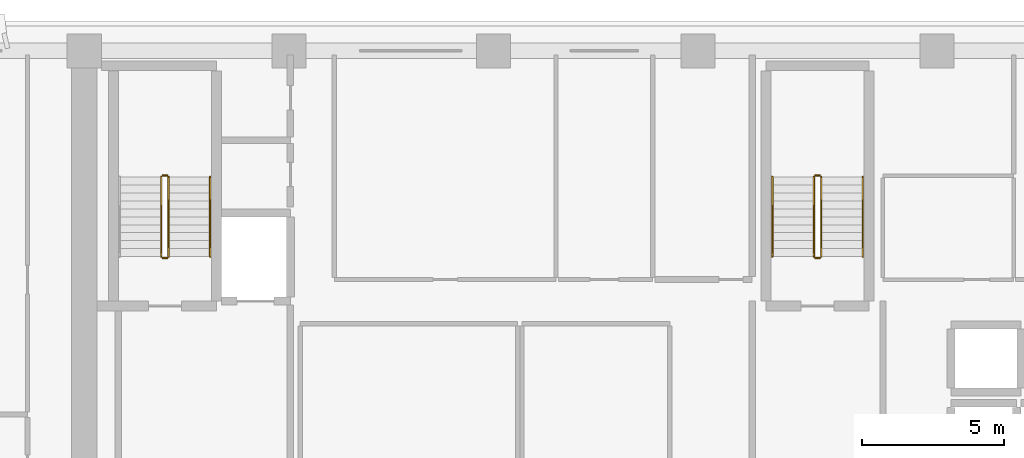
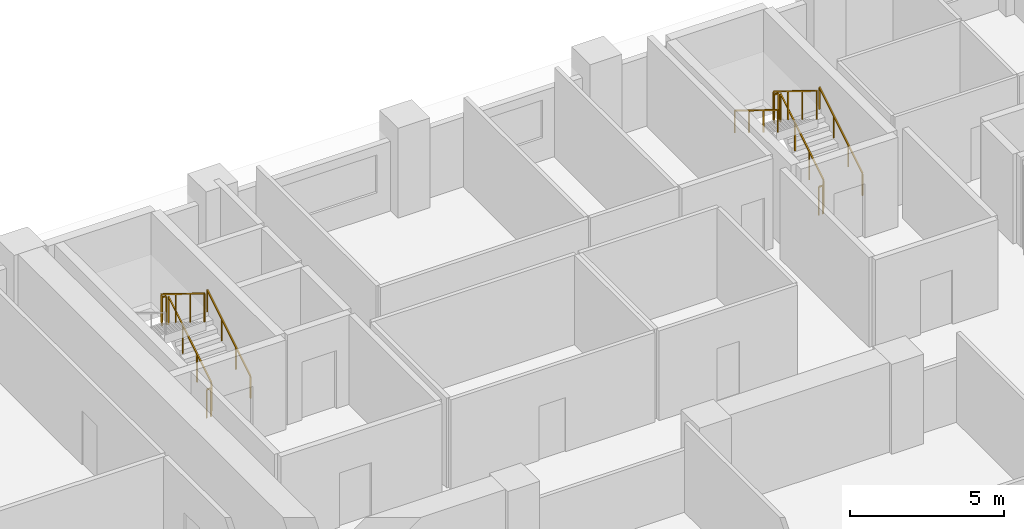
# One storey, part 12 of 14: 11 railings.
"""IFC4 building model written with IfcOpenShell, lengths in metres."""

from ifc_helpers import new_model, si_unit, direction, frame, origin, origin_2d, place, context, subcontext, project, spatial, rectangle, extrude, material, type_object, element, save


model = new_model("IFC4")

# Units and contexts
model_context = context("Model", 3, precision=1e-05, world=origin(), true_north=direction((0.0, 1.0)))
body_context = subcontext(model_context, "Body", "Model", "MODEL_VIEW")
ifc_project = project(units=[si_unit("LENGTHUNIT", "METRE"), si_unit("AREAUNIT", "SQUARE_METRE"), si_unit("VOLUMEUNIT", "CUBIC_METRE"), si_unit("PLANEANGLEUNIT", "RADIAN"), si_unit("MASSUNIT", "GRAM", prefix="KILO")], contexts=[model_context])

# Site, building, storey
site_placement = place(None, origin())
site = spatial("IfcSite", under=ifc_project, at=site_placement, CompositionType="ELEMENT")
building_placement = place(site_placement, origin())
building = spatial("IfcBuilding", under=site, at=building_placement, Name="Kaelvorn Grand Hotel", CompositionType="ELEMENT")
storey_placement = place(building_placement, frame((0.0, 0.0, 169.550048828125)))
storey = spatial("IfcBuildingStorey", under=building, at=storey_placement, Name="L41", CompositionType="ELEMENT", Elevation=169.550048828125)

# Railings
ifc_material = material(Name="Stainless Steel", Category="steel")
railing_type_1 = type_object("IfcRailingType", Name="RL-HANDRAIL-900", PredefinedType="HANDRAIL", material=ifc_material)
for number, where, name in (
    (1, (20.6298828125, 41.760009765625, 0.172607421875), "L41 ST1 stair handrail 1"),
    (2, (43.590087890625, 41.760009765625, 0.172607421875), "L41 ST2 stair handrail 1"),
):
    element("IfcRailing", number, at=place(storey_placement, frame(where)), inside=storey, type_object=railing_type_1, Name=name, PredefinedType="HANDRAIL", context=body_context, shape_type="SweptSolid", body=[
        extrude(rectangle(XDim=0.048095703125, YDim=0.048095703125, at=origin_2d()), frame((0.0, 0.0, 0.8759765625), z_axis=(0.0, 0.851089632645, 0.525020415988), x_axis=(-1.0, 0.0, 0.0)), (0.0, 0.0, 1.0), 3.2900390625),
        extrude(rectangle(XDim=0.0419921875, YDim=0.0419921875, at=origin_2d()), origin(), (0.0, 0.0, 1.0), 0.851806640625),
        extrude(rectangle(XDim=0.0419921875, YDim=0.0419921875, at=origin_2d()), frame((0.0, 0.933349609375, 0.57568359375)), (0.0, 0.0, 1.0), 0.851806640625),
        extrude(rectangle(XDim=0.0419921875, YDim=0.0419921875, at=origin_2d()), frame((0.0, 1.86669921875, 1.151611328125)), (0.0, 0.0, 1.0), 0.851806640625),
        extrude(rectangle(XDim=0.0419921875, YDim=0.0419921875, at=origin_2d()), frame((0.0, 2.800048828125, 1.727294921875)), (0.0, 0.0, 1.0), 0.851806640625),
    ])
railing_1_placement = place(storey_placement, frame((40.409912109375, 44.56005859375, 2.07275390625)))
element("IfcRailing", 3, at=railing_1_placement, inside=storey, type_object=railing_type_1, Name="L41 ST2 stair handrail 2", PredefinedType="HANDRAIL", context=body_context, shape_type="SweptSolid", body=[
    extrude(rectangle(XDim=0.048095703125, YDim=0.048095703125, at=origin_2d()), frame((0.0, 0.0, 0.8759765625), z_axis=(0.0, -0.851089632645, 0.525020415988), x_axis=(1.0, 0.0, 0.0)), (0.0, 0.0, 1.0), 3.2900390625),
    extrude(rectangle(XDim=0.0419921875, YDim=0.0419921875, at=origin_2d()), origin(), (0.0, 0.0, 1.0), 0.851806640625),
    extrude(rectangle(XDim=0.0419921875, YDim=0.0419921875, at=origin_2d()), frame((0.0, -0.933349609375, 0.57568359375)), (0.0, 0.0, 1.0), 0.851806640625),
    extrude(rectangle(XDim=0.0419921875, YDim=0.0419921875, at=origin_2d()), frame((0.0, -1.86669921875, 1.151611328125)), (0.0, 0.0, 1.0), 0.851806640625),
    extrude(rectangle(XDim=0.0419921875, YDim=0.0419921875, at=origin_2d()), frame((0.0, -2.800048828125, 1.727294921875)), (0.0, 0.0, 1.0), 0.851806640625),
])
railing_type_2 = type_object("IfcRailingType", Name="RL-STAIR-GUARD-1150", PredefinedType="BALUSTRADE", material=ifc_material)
railing_2_placement = place(storey_placement, frame((19.169921875, 41.760009765625, 0.172607421875)))
element("IfcRailing", 4, at=railing_2_placement, inside=storey, type_object=railing_type_2, Name="L41 ST1 stair guard 1", PredefinedType="BALUSTRADE", context=body_context, shape_type="SweptSolid", body=[
    extrude(rectangle(XDim=0.048095703125, YDim=0.048095703125, at=origin_2d()), frame((0.0, 0.0, 1.1259765625), z_axis=(0.0, 0.851089632645, 0.525020415988), x_axis=(-1.0, 0.0, 0.0)), (0.0, 0.0, 1.0), 3.2900390625),
    extrude(rectangle(XDim=0.0419921875, YDim=0.0419921875, at=origin_2d()), origin(), (0.0, 0.0, 1.0), 1.101806640625),
    extrude(rectangle(XDim=0.0419921875, YDim=0.0419921875, at=origin_2d()), frame((0.0, 0.933349609375, 0.57568359375)), (0.0, 0.0, 1.0), 1.101806640625),
    extrude(rectangle(XDim=0.0419921875, YDim=0.0419921875, at=origin_2d()), frame((0.0, 1.86669921875, 1.151611328125)), (0.0, 0.0, 1.0), 1.101806640625),
    extrude(rectangle(XDim=0.0419921875, YDim=0.0419921875, at=origin_2d()), frame((0.0, 2.800048828125, 1.727294921875)), (0.0, 0.0, 1.0), 1.101806640625),
])
railing_3_placement = place(storey_placement, frame((19.1201171875, 44.610107421875, 1.89990234375)))
element("IfcRailing", 5, at=railing_3_placement, inside=storey, type_object=railing_type_2, Name="L41 ST1 stair guard 2", PredefinedType="BALUSTRADE", context=body_context, shape_type="SweptSolid", body=[
    extrude(rectangle(XDim=0.048095703125, YDim=0.048095703125, at=origin_2d()), frame((0.0, 0.0, 1.1259765625), z_axis=(-1.0, 0.0, 0.0), x_axis=(0.0, -1.0, 0.0)), (0.0, 0.0, 1.0), 0.16015625),
    extrude(rectangle(XDim=0.0419921875, YDim=0.0419921875, at=origin_2d()), origin(), (0.0, 0.0, 1.0), 1.101806640625),
    extrude(rectangle(XDim=0.0419921875, YDim=0.0419921875, at=origin_2d()), frame((-0.16015625, 0.0, 0.0)), (0.0, 0.0, 1.0), 1.101806640625),
])
railing_4_placement = place(storey_placement, frame((18.909912109375, 44.56005859375, 2.07275390625)))
element("IfcRailing", 6, at=railing_4_placement, inside=storey, type_object=railing_type_2, Name="L41 ST1 stair guard 3", PredefinedType="BALUSTRADE", context=body_context, shape_type="SweptSolid", body=[
    extrude(rectangle(XDim=0.048095703125, YDim=0.048095703125, at=origin_2d()), frame((0.0, 0.0, 1.1259765625), z_axis=(0.0, -0.851089632645, 0.525020415988), x_axis=(1.0, 0.0, 0.0)), (0.0, 0.0, 1.0), 3.2900390625),
    extrude(rectangle(XDim=0.0419921875, YDim=0.0419921875, at=origin_2d()), origin(), (0.0, 0.0, 1.0), 1.101806640625),
    extrude(rectangle(XDim=0.0419921875, YDim=0.0419921875, at=origin_2d()), frame((0.0, -0.933349609375, 0.57568359375)), (0.0, 0.0, 1.0), 1.101806640625),
    extrude(rectangle(XDim=0.0419921875, YDim=0.0419921875, at=origin_2d()), frame((0.0, -1.86669921875, 1.151611328125)), (0.0, 0.0, 1.0), 1.101806640625),
    extrude(rectangle(XDim=0.0419921875, YDim=0.0419921875, at=origin_2d()), frame((0.0, -2.800048828125, 1.727294921875)), (0.0, 0.0, 1.0), 1.101806640625),
])
railing_5_placement = place(storey_placement, frame((19.1201171875, 41.7099609375, 0.0)))
element("IfcRailing", 7, at=railing_5_placement, inside=storey, type_object=railing_type_2, Name="L41 ST1 stair guard 4", PredefinedType="BALUSTRADE", context=body_context, shape_type="SweptSolid", body=[
    extrude(rectangle(XDim=0.048095703125, YDim=0.048095703125, at=origin_2d()), frame((0.0, 0.0, 1.1259765625), z_axis=(-1.0, 0.0, 0.0), x_axis=(0.0, -1.0, 0.0)), (0.0, 0.0, 1.0), 0.16015625),
    extrude(rectangle(XDim=0.0419921875, YDim=0.0419921875, at=origin_2d()), origin(), (0.0, 0.0, 1.0), 1.101806640625),
    extrude(rectangle(XDim=0.0419921875, YDim=0.0419921875, at=origin_2d()), frame((-0.16015625, 0.0, 0.0)), (0.0, 0.0, 1.0), 1.101806640625),
])
railing_6_placement = place(storey_placement, frame((42.1298828125, 41.760009765625, 0.172607421875)))
element("IfcRailing", 8, at=railing_6_placement, inside=storey, type_object=railing_type_2, Name="L41 ST2 stair guard 1", PredefinedType="BALUSTRADE", context=body_context, shape_type="SweptSolid", body=[
    extrude(rectangle(XDim=0.048095703125, YDim=0.048095703125, at=origin_2d()), frame((0.0, 0.0, 1.1259765625), z_axis=(0.0, 0.851089632645, 0.525020415988), x_axis=(-1.0, 0.0, 0.0)), (0.0, 0.0, 1.0), 3.2900390625),
    extrude(rectangle(XDim=0.0419921875, YDim=0.0419921875, at=origin_2d()), origin(), (0.0, 0.0, 1.0), 1.101806640625),
    extrude(rectangle(XDim=0.0419921875, YDim=0.0419921875, at=origin_2d()), frame((0.0, 0.933349609375, 0.57568359375)), (0.0, 0.0, 1.0), 1.101806640625),
    extrude(rectangle(XDim=0.0419921875, YDim=0.0419921875, at=origin_2d()), frame((0.0, 1.86669921875, 1.151611328125)), (0.0, 0.0, 1.0), 1.101806640625),
    extrude(rectangle(XDim=0.0419921875, YDim=0.0419921875, at=origin_2d()), frame((0.0, 2.800048828125, 1.727294921875)), (0.0, 0.0, 1.0), 1.101806640625),
])
railing_7_placement = place(storey_placement, frame((42.080078125, 44.610107421875, 1.89990234375)))
element("IfcRailing", 9, at=railing_7_placement, inside=storey, type_object=railing_type_2, Name="L41 ST2 stair guard 2", PredefinedType="BALUSTRADE", context=body_context, shape_type="SweptSolid", body=[
    extrude(rectangle(XDim=0.048095703125, YDim=0.048095703125, at=origin_2d()), frame((0.0, 0.0, 1.1259765625), z_axis=(-1.0, 0.0, 0.0), x_axis=(0.0, -1.0, 0.0)), (0.0, 0.0, 1.0), 0.16015625),
    extrude(rectangle(XDim=0.0419921875, YDim=0.0419921875, at=origin_2d()), origin(), (0.0, 0.0, 1.0), 1.101806640625),
    extrude(rectangle(XDim=0.0419921875, YDim=0.0419921875, at=origin_2d()), frame((-0.16015625, 0.0, 0.0)), (0.0, 0.0, 1.0), 1.101806640625),
])
railing_8_placement = place(storey_placement, frame((41.8701171875, 44.56005859375, 2.07275390625)))
element("IfcRailing", 10, at=railing_8_placement, inside=storey, type_object=railing_type_2, Name="L41 ST2 stair guard 3", PredefinedType="BALUSTRADE", context=body_context, shape_type="SweptSolid", body=[
    extrude(rectangle(XDim=0.048095703125, YDim=0.048095703125, at=origin_2d()), frame((0.0, 0.0, 1.1259765625), z_axis=(0.0, -0.851089632645, 0.525020415988), x_axis=(1.0, 0.0, 0.0)), (0.0, 0.0, 1.0), 3.2900390625),
    extrude(rectangle(XDim=0.0419921875, YDim=0.0419921875, at=origin_2d()), origin(), (0.0, 0.0, 1.0), 1.101806640625),
    extrude(rectangle(XDim=0.0419921875, YDim=0.0419921875, at=origin_2d()), frame((0.0, -0.933349609375, 0.57568359375)), (0.0, 0.0, 1.0), 1.101806640625),
    extrude(rectangle(XDim=0.0419921875, YDim=0.0419921875, at=origin_2d()), frame((0.0, -1.86669921875, 1.151611328125)), (0.0, 0.0, 1.0), 1.101806640625),
    extrude(rectangle(XDim=0.0419921875, YDim=0.0419921875, at=origin_2d()), frame((0.0, -2.800048828125, 1.727294921875)), (0.0, 0.0, 1.0), 1.101806640625),
])
railing_9_placement = place(storey_placement, frame((42.080078125, 41.7099609375, 0.0)))
element("IfcRailing", 11, at=railing_9_placement, inside=storey, type_object=railing_type_2, Name="L41 ST2 stair guard 4", PredefinedType="BALUSTRADE", context=body_context, shape_type="SweptSolid", body=[
    extrude(rectangle(XDim=0.048095703125, YDim=0.048095703125, at=origin_2d()), frame((0.0, 0.0, 1.1259765625), z_axis=(-1.0, 0.0, 0.0), x_axis=(0.0, -1.0, 0.0)), (0.0, 0.0, 1.0), 0.16015625),
    extrude(rectangle(XDim=0.0419921875, YDim=0.0419921875, at=origin_2d()), origin(), (0.0, 0.0, 1.0), 1.101806640625),
    extrude(rectangle(XDim=0.0419921875, YDim=0.0419921875, at=origin_2d()), frame((-0.16015625, 0.0, 0.0)), (0.0, 0.0, 1.0), 1.101806640625),
])

save(model, "model.ifc")
